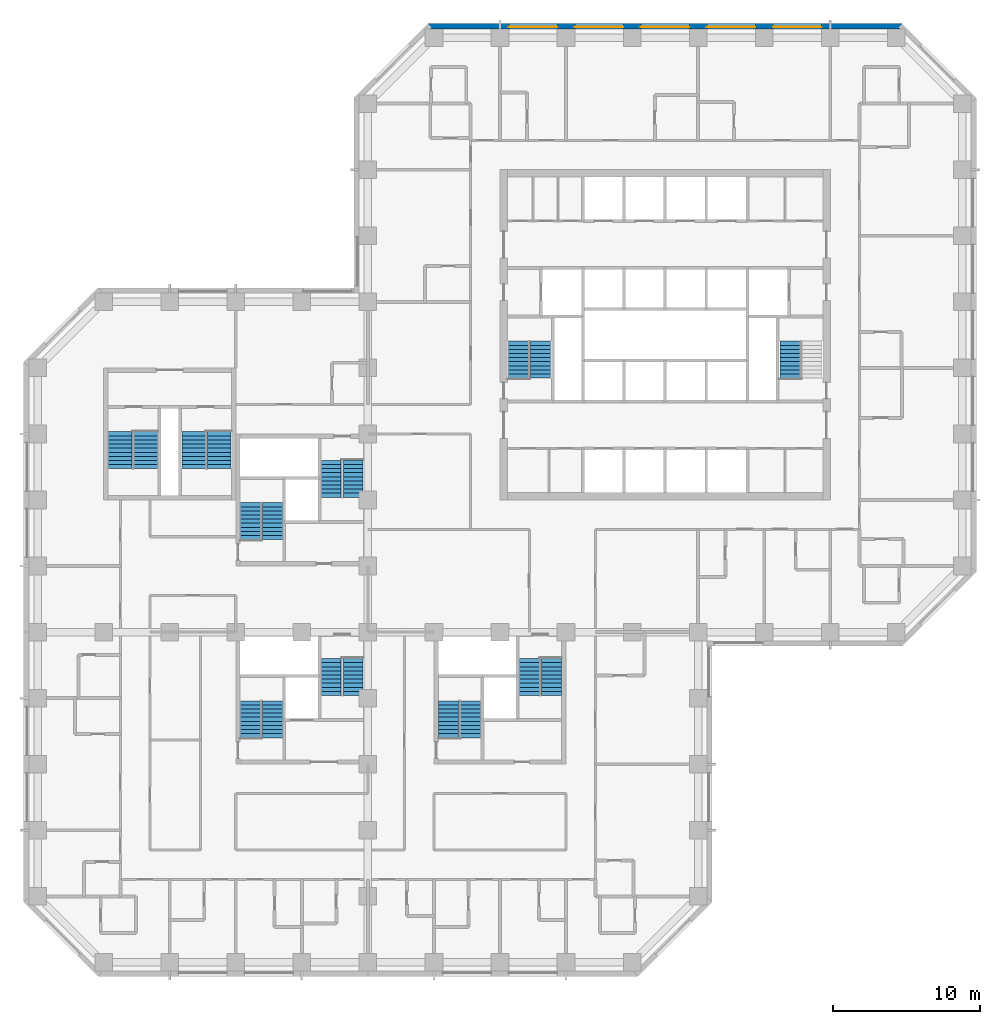
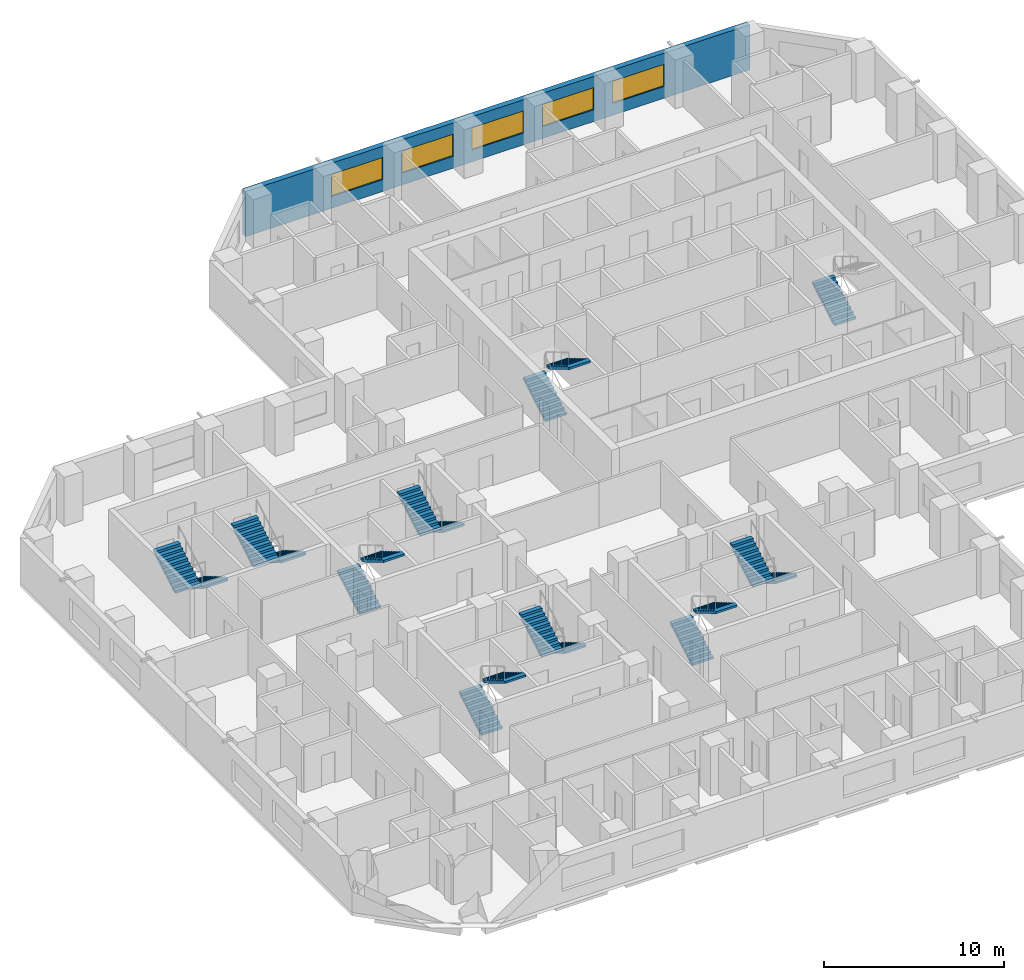
# One storey, part 11 of 13: 19 stair flights, 5 windows, 1 wall, 5 openings, 10 elements without a shape of their own.
"""IFC4 building model written with IfcOpenShell, lengths in metres."""

from ifc_helpers import new_model, si_unit, direction, frame, frame_2d, origin, place, context, subcontext, project, spatial, polyline, rectangle, outline, extrude, material, layer, layer_set, constituent, constituent_set, type_object, element, fill, aggregate, save


model = new_model("IFC4")

# Units and contexts
model_context = context("Model", 3, precision=1e-05, world=origin(), true_north=direction((0.0, 1.0)))
body_context = subcontext(model_context, "Body", "Model", "MODEL_VIEW")
ifc_project = project(units=[si_unit("LENGTHUNIT", "METRE"), si_unit("AREAUNIT", "SQUARE_METRE"), si_unit("VOLUMEUNIT", "CUBIC_METRE"), si_unit("PLANEANGLEUNIT", "RADIAN"), si_unit("MASSUNIT", "GRAM", prefix="KILO")], contexts=[model_context])

# Site, building, storey
site_placement = place(None, origin())
site = spatial("IfcSite", under=ifc_project, at=site_placement, CompositionType="ELEMENT")
building_placement = place(site_placement, origin())
building = spatial("IfcBuilding", under=site, at=building_placement, Name="Quoin Convention Tower", CompositionType="ELEMENT")
storey_placement = place(building_placement, frame((0.0, 0.0, 49.5)))
storey = spatial("IfcBuildingStorey", under=building, at=storey_placement, Name="L12", CompositionType="ELEMENT", Elevation=49.5)

# Wall, openings, windows
ifc_material_1 = material(Name="Brick masonry", Category="masonry")
ifc_layer = layer(ifc_material_1, 0.35009765625)
ifc_layer_set = layer_set([ifc_layer], Name="Brick masonry")
wall_type = type_object("IfcWallType", Name="Brick facade wall", PredefinedType="STANDARD", material=ifc_layer_set)
wall_placement = place(storey_placement, frame((72.3935546875, 81.77490234375, 0.0), z_axis=(0.0, 0.0, 1.0), x_axis=(-1.0, 0.0, 0.0)))
wall = element("IfcWall", 1, at=wall_placement, inside=storey, type_object=wall_type, Name="fw-L12-72000_81000", PredefinedType="STANDARD", context=body_context, shape_type="SweptSolid", body=[
    extrude(rectangle(XDim=32.287109375, YDim=0.35009765625, at=frame_2d((16.1435546875, 0.0))), origin(), (0.0, 0.0, 1.0), 3.054931640625),
])
opening_1_placement = place(wall_placement, frame((5.493408203125, 0.0, 0.800048828125)))
opening_1 = element("IfcOpeningElement", 2, at=opening_1_placement, cuts=wall, Name="Opening W-01", PredefinedType="OPENING", context=body_context, shape_type="SweptSolid", body=[
    extrude(rectangle(XDim=3.300048828125, YDim=1.5, at=frame_2d((1.64990234375, 0.75))), frame((0.0, 0.18505859375, 0.0), z_axis=(0.0, -1.0, 0.0), x_axis=(1.0, 0.0, 0.0)), (0.0, 0.0, 1.0), 0.3701171875),
])
opening_2_placement = place(wall_placement, frame((9.993408203125, 0.0, 0.800048828125)))
opening_2 = element("IfcOpeningElement", 3, at=opening_2_placement, cuts=wall, Name="Opening W-01", PredefinedType="OPENING", context=body_context, shape_type="SweptSolid", body=[
    extrude(rectangle(XDim=3.300048828125, YDim=1.5, at=frame_2d((1.64990234375, 0.75))), frame((0.0, 0.18505859375, 0.0), z_axis=(0.0, -1.0, 0.0), x_axis=(1.0, 0.0, 0.0)), (0.0, 0.0, 1.0), 0.3701171875),
])
opening_3_placement = place(wall_placement, frame((14.493408203125, 0.0, 0.800048828125)))
opening_3 = element("IfcOpeningElement", 4, at=opening_3_placement, cuts=wall, Name="Opening W-01", PredefinedType="OPENING", context=body_context, shape_type="SweptSolid", body=[
    extrude(rectangle(XDim=3.300048828125, YDim=1.5, at=frame_2d((1.64990234375, 0.75))), frame((0.0, 0.18505859375, 0.0), z_axis=(0.0, -1.0, 0.0), x_axis=(1.0, 0.0, 0.0)), (0.0, 0.0, 1.0), 0.3701171875),
])
opening_4_placement = place(wall_placement, frame((18.993408203125, 0.0, 0.800048828125)))
opening_4 = element("IfcOpeningElement", 5, at=opening_4_placement, cuts=wall, Name="Opening W-01", PredefinedType="OPENING", context=body_context, shape_type="SweptSolid", body=[
    extrude(rectangle(XDim=3.300048828125, YDim=1.5, at=frame_2d((1.64990234375, 0.75))), frame((0.0, 0.18505859375, 0.0), z_axis=(0.0, -1.0, 0.0), x_axis=(1.0, 0.0, 0.0)), (0.0, 0.0, 1.0), 0.3701171875),
])
opening_5_placement = place(wall_placement, frame((23.493408203125, 0.0, 0.800048828125)))
opening_5 = element("IfcOpeningElement", 6, at=opening_5_placement, cuts=wall, Name="Opening W-01", PredefinedType="OPENING", context=body_context, shape_type="SweptSolid", body=[
    extrude(rectangle(XDim=3.300048828125, YDim=1.5, at=frame_2d((1.64990234375, 0.75))), frame((0.0, 0.18505859375, 0.0), z_axis=(0.0, -1.0, 0.0), x_axis=(1.0, 0.0, 0.0)), (0.0, 0.0, 1.0), 0.3701171875),
])
ifc_material_2 = material(Name="Aluminium", Category="aluminium")
ifc_constituent_1 = constituent(ifc_material_2, Name="Frame")
ifc_material_3 = material(Name="Insulated glass", Category="glass")
ifc_constituent_2 = constituent(ifc_material_3, Name="Glazing")
ifc_constituent_set = constituent_set(constituents=[ifc_constituent_1, ifc_constituent_2], Name="Aluminium")
window_type = type_object("IfcWindowType", Name="Hotel strip window", PartitioningType="DOUBLE_PANEL_VERTICAL", PredefinedType="WINDOW", material=ifc_constituent_set)
window_1_placement = place(opening_1_placement, origin())
window_1 = element("IfcWindow", 7, at=window_1_placement, inside=storey, type_object=window_type, Name="win-L12-65250_81775", OverallHeight=1.5, OverallWidth=3.300048828125, PartitioningType="SINGLE_PANEL", PredefinedType="WINDOW", context=body_context, shape_type="SweptSolid", body=[
    extrude(rectangle(XDim=3.300048828125, YDim=1.5, at=frame_2d((1.64990234375, 0.75))), frame((0.0, 0.0849609375, 0.0), z_axis=(0.0, -1.0, 0.0), x_axis=(1.0, 0.0, 0.0)), (0.0, 0.0, 1.0), 0.06005859375),
])
fill(opening_1, window_1)
window_2_placement = place(opening_2_placement, origin())
window_2 = element("IfcWindow", 8, at=window_2_placement, inside=storey, type_object=window_type, Name="win-L12-60750_81775", OverallHeight=1.5, OverallWidth=3.300048828125, PartitioningType="SINGLE_PANEL", PredefinedType="WINDOW", context=body_context, shape_type="SweptSolid", body=[
    extrude(rectangle(XDim=3.300048828125, YDim=1.5, at=frame_2d((1.64990234375, 0.75))), frame((0.0, 0.0849609375, 0.0), z_axis=(0.0, -1.0, 0.0), x_axis=(1.0, 0.0, 0.0)), (0.0, 0.0, 1.0), 0.06005859375),
])
fill(opening_2, window_2)
window_3_placement = place(opening_3_placement, origin())
window_3 = element("IfcWindow", 9, at=window_3_placement, inside=storey, type_object=window_type, Name="win-L12-56250_81775", OverallHeight=1.5, OverallWidth=3.300048828125, PartitioningType="SINGLE_PANEL", PredefinedType="WINDOW", context=body_context, shape_type="SweptSolid", body=[
    extrude(rectangle(XDim=3.300048828125, YDim=1.5, at=frame_2d((1.64990234375, 0.75))), frame((0.0, 0.0849609375, 0.0), z_axis=(0.0, -1.0, 0.0), x_axis=(1.0, 0.0, 0.0)), (0.0, 0.0, 1.0), 0.06005859375),
])
fill(opening_3, window_3)
window_4_placement = place(opening_4_placement, origin())
window_4 = element("IfcWindow", 10, at=window_4_placement, inside=storey, type_object=window_type, Name="win-L12-51750_81775", OverallHeight=1.5, OverallWidth=3.300048828125, PartitioningType="SINGLE_PANEL", PredefinedType="WINDOW", context=body_context, shape_type="SweptSolid", body=[
    extrude(rectangle(XDim=3.300048828125, YDim=1.5, at=frame_2d((1.64990234375, 0.75))), frame((0.0, 0.0849609375, 0.0), z_axis=(0.0, -1.0, 0.0), x_axis=(1.0, 0.0, 0.0)), (0.0, 0.0, 1.0), 0.06005859375),
])
fill(opening_4, window_4)
window_5_placement = place(opening_5_placement, origin())
window_5 = element("IfcWindow", 11, at=window_5_placement, inside=storey, type_object=window_type, Name="win-L12-47250_81775", OverallHeight=1.5, OverallWidth=3.300048828125, PartitioningType="SINGLE_PANEL", PredefinedType="WINDOW", context=body_context, shape_type="SweptSolid", body=[
    extrude(rectangle(XDim=3.300048828125, YDim=1.5, at=frame_2d((1.64990234375, 0.75))), frame((0.0, 0.0849609375, 0.0), z_axis=(0.0, -1.0, 0.0), x_axis=(1.0, 0.0, 0.0)), (0.0, 0.0, 1.0), 0.06005859375),
])
fill(opening_5, window_5)

# Stair, stair flights
ifc_material_4 = material(Name="Concrete C40", Category="concrete")
stair_type_1 = type_object("IfcStairType", Name="Exit stair two-flight 1350", PredefinedType="HALF_TURN_STAIR", material=ifc_material_4)
stair_1_placement = place(storey_placement, origin())
stair_1 = element("IfcStair", 12, at=stair_1_placement, inside=storey, type_object=stair_type_1, Name="SD1 L12", PredefinedType="HALF_TURN_STAIR")
stair_flight_type_1 = type_object("IfcStairFlightType", Name="Stair flight 1350", PredefinedType="STRAIGHT", material=ifc_material_4)
stair_flight_1_placement = place(storey_placement, frame((46.25, 57.800048828125, 0.0), z_axis=(0.0, 0.0, 1.0), x_axis=(0.0, 1.0, 0.0)))
stair_flight_1 = element("IfcStairFlight", 13, at=stair_flight_1_placement, type_object=stair_flight_type_1, Name="ST1 flight 1", NumberOfRisers=10, NumberOfTreads=9, PredefinedType="STRAIGHT", RiserHeight=0.165, TreadLength=0.28, context=body_context, shape_type="SweptSolid", body=[
    extrude(outline(polyline([(0.0, 0.0), (0.0, 0.1650390625), (0.280029296875, 0.1650390625), (0.280029296875, 0.330078125), (0.56005859375, 0.330078125), (0.56005859375, 0.4951171875), (0.840087890625, 0.4951171875), (0.840087890625, 0.659912109375), (1.1201171875, 0.659912109375), (1.1201171875, 0.824951171875), (1.39990234375, 0.824951171875), (1.39990234375, 0.989990234375), (1.679931640625, 0.989990234375), (1.679931640625, 1.155029296875), (1.9599609375, 1.155029296875), (1.9599609375, 1.320068359375), (2.239990234375, 1.320068359375), (2.239990234375, 1.485107421875), (2.52001953125, 1.485107421875), (2.52001953125, 1.64990234375), (2.52001953125, 1.345458984375), (0.236572265625, 0.0), (0.0, 0.0)])), frame((0.0, 0.675048828125, 0.0), z_axis=(0.0, -1.0, 0.0), x_axis=(1.0, 0.0, 0.0)), (0.0, 0.0, 1.0), 1.35009765625),
])
stair_flight_2_placement = place(storey_placement, frame((47.75, 60.320068359375, 1.64990234375), z_axis=(0.0, 0.0, 1.0), x_axis=(0.0, -1.0, 0.0)))
stair_flight_2 = element("IfcStairFlight", 14, at=stair_flight_2_placement, type_object=stair_flight_type_1, Name="ST1 flight 2", NumberOfRisers=10, NumberOfTreads=9, PredefinedType="STRAIGHT", RiserHeight=0.165, TreadLength=0.28, context=body_context, shape_type="SweptSolid", body=[
    extrude(outline(polyline([(0.0, 0.0), (0.0, 0.1650390625), (0.280029296875, 0.1650390625), (0.280029296875, 0.330078125), (0.56005859375, 0.330078125), (0.56005859375, 0.4951171875), (0.840087890625, 0.4951171875), (0.840087890625, 0.659912109375), (1.1201171875, 0.659912109375), (1.1201171875, 0.824951171875), (1.39990234375, 0.824951171875), (1.39990234375, 0.989990234375), (1.679931640625, 0.989990234375), (1.679931640625, 1.155029296875), (1.9599609375, 1.155029296875), (1.9599609375, 1.320068359375), (2.239990234375, 1.320068359375), (2.239990234375, 1.485107421875), (2.52001953125, 1.485107421875), (2.52001953125, 1.64990234375), (2.52001953125, 1.345458984375), (0.236572265625, 0.0), (0.0, 0.0)])), frame((0.0, 0.675048828125, 0.0), z_axis=(0.0, -1.0, 0.0), x_axis=(1.0, 0.0, 0.0)), (0.0, 0.0, 1.0), 1.35009765625),
])
aggregate(stair_1, [stair_flight_1, stair_flight_2])

# Stair, stair flight
stair_2_placement = place(storey_placement, origin())
stair_2 = element("IfcStair", 15, at=stair_2_placement, inside=storey, type_object=stair_type_1, Name="SD2 L12", PredefinedType="HALF_TURN_STAIR")
stair_flight_3_placement = place(storey_placement, frame((64.75, 57.800048828125, 0.0), z_axis=(0.0, 0.0, 1.0), x_axis=(0.0, 1.0, 0.0)))
stair_flight_3 = element("IfcStairFlight", 16, at=stair_flight_3_placement, type_object=stair_flight_type_1, Name="ST2 flight 1", NumberOfRisers=10, NumberOfTreads=9, PredefinedType="STRAIGHT", RiserHeight=0.165, TreadLength=0.28, context=body_context, shape_type="SweptSolid", body=[
    extrude(outline(polyline([(0.0, 0.0), (0.0, 0.1650390625), (0.280029296875, 0.1650390625), (0.280029296875, 0.330078125), (0.56005859375, 0.330078125), (0.56005859375, 0.4951171875), (0.840087890625, 0.4951171875), (0.840087890625, 0.659912109375), (1.1201171875, 0.659912109375), (1.1201171875, 0.824951171875), (1.39990234375, 0.824951171875), (1.39990234375, 0.989990234375), (1.679931640625, 0.989990234375), (1.679931640625, 1.155029296875), (1.9599609375, 1.155029296875), (1.9599609375, 1.320068359375), (2.239990234375, 1.320068359375), (2.239990234375, 1.485107421875), (2.52001953125, 1.485107421875), (2.52001953125, 1.64990234375), (2.52001953125, 1.345458984375), (0.236572265625, 0.0), (0.0, 0.0)])), frame((0.0, 0.675048828125, 0.0), z_axis=(0.0, -1.0, 0.0), x_axis=(1.0, 0.0, 0.0)), (0.0, 0.0, 1.0), 1.35009765625),
])
aggregate(stair_2, [stair_flight_3])

# Stair, stair flights
stair_3_placement = place(storey_placement, origin())
stair_3 = element("IfcStair", 17, at=stair_3_placement, inside=storey, type_object=stair_type_1, Name="SD3 L12", PredefinedType="HALF_TURN_STAIR")
stair_flight_4_placement = place(storey_placement, frame((28.0, 46.800048828125, 0.0), z_axis=(0.0, 0.0, 1.0), x_axis=(0.0, 1.0, 0.0)))
stair_flight_4 = element("IfcStairFlight", 18, at=stair_flight_4_placement, type_object=stair_flight_type_1, Name="ST3 flight 1", NumberOfRisers=10, NumberOfTreads=9, PredefinedType="STRAIGHT", RiserHeight=0.165, TreadLength=0.28, context=body_context, shape_type="SweptSolid", body=[
    extrude(outline(polyline([(0.0, 0.0), (0.0, 0.1650390625), (0.280029296875, 0.1650390625), (0.280029296875, 0.330078125), (0.56005859375, 0.330078125), (0.56005859375, 0.4951171875), (0.840087890625, 0.4951171875), (0.840087890625, 0.659912109375), (1.1201171875, 0.659912109375), (1.1201171875, 0.824951171875), (1.39990234375, 0.824951171875), (1.39990234375, 0.989990234375), (1.679931640625, 0.989990234375), (1.679931640625, 1.155029296875), (1.9599609375, 1.155029296875), (1.9599609375, 1.320068359375), (2.239990234375, 1.320068359375), (2.239990234375, 1.485107421875), (2.52001953125, 1.485107421875), (2.52001953125, 1.64990234375), (2.52001953125, 1.345458984375), (0.236572265625, 0.0), (0.0, 0.0)])), frame((0.0, 0.675048828125, 0.0), z_axis=(0.0, -1.0, 0.0), x_axis=(1.0, 0.0, 0.0)), (0.0, 0.0, 1.0), 1.35009765625),
])
stair_flight_5_placement = place(storey_placement, frame((29.5, 49.320068359375, 1.64990234375), z_axis=(0.0, 0.0, 1.0), x_axis=(0.0, -1.0, 0.0)))
stair_flight_5 = element("IfcStairFlight", 19, at=stair_flight_5_placement, type_object=stair_flight_type_1, Name="ST3 flight 2", NumberOfRisers=10, NumberOfTreads=9, PredefinedType="STRAIGHT", RiserHeight=0.165, TreadLength=0.28, context=body_context, shape_type="SweptSolid", body=[
    extrude(outline(polyline([(0.0, 0.0), (0.0, 0.1650390625), (0.280029296875, 0.1650390625), (0.280029296875, 0.330078125), (0.56005859375, 0.330078125), (0.56005859375, 0.4951171875), (0.840087890625, 0.4951171875), (0.840087890625, 0.659912109375), (1.1201171875, 0.659912109375), (1.1201171875, 0.824951171875), (1.39990234375, 0.824951171875), (1.39990234375, 0.989990234375), (1.679931640625, 0.989990234375), (1.679931640625, 1.155029296875), (1.9599609375, 1.155029296875), (1.9599609375, 1.320068359375), (2.239990234375, 1.320068359375), (2.239990234375, 1.485107421875), (2.52001953125, 1.485107421875), (2.52001953125, 1.64990234375), (2.52001953125, 1.345458984375), (0.236572265625, 0.0), (0.0, 0.0)])), frame((0.0, 0.675048828125, 0.0), z_axis=(0.0, -1.0, 0.0), x_axis=(1.0, 0.0, 0.0)), (0.0, 0.0, 1.0), 1.35009765625),
])
aggregate(stair_3, [stair_flight_4, stair_flight_5])

stair_4_placement = place(storey_placement, origin())
stair_4 = element("IfcStair", 20, at=stair_4_placement, inside=storey, type_object=stair_type_1, Name="SD4 L12", PredefinedType="HALF_TURN_STAIR")
stair_flight_6_placement = place(storey_placement, frame((35.0, 52.199951171875, 0.0), z_axis=(0.0, 0.0, 1.0), x_axis=(0.0, -1.0, 0.0)))
stair_flight_6 = element("IfcStairFlight", 21, at=stair_flight_6_placement, type_object=stair_flight_type_1, Name="ST4 flight 1", NumberOfRisers=10, NumberOfTreads=9, PredefinedType="STRAIGHT", RiserHeight=0.165, TreadLength=0.28, context=body_context, shape_type="SweptSolid", body=[
    extrude(outline(polyline([(0.0, 0.0), (0.0, 0.1650390625), (0.280029296875, 0.1650390625), (0.280029296875, 0.330078125), (0.56005859375, 0.330078125), (0.56005859375, 0.4951171875), (0.840087890625, 0.4951171875), (0.840087890625, 0.659912109375), (1.1201171875, 0.659912109375), (1.1201171875, 0.824951171875), (1.39990234375, 0.824951171875), (1.39990234375, 0.989990234375), (1.679931640625, 0.989990234375), (1.679931640625, 1.155029296875), (1.9599609375, 1.155029296875), (1.9599609375, 1.320068359375), (2.239990234375, 1.320068359375), (2.239990234375, 1.485107421875), (2.52001953125, 1.485107421875), (2.52001953125, 1.64990234375), (2.52001953125, 1.345458984375), (0.236572265625, 0.0), (0.0, 0.0)])), frame((0.0, 0.675048828125, 0.0), z_axis=(0.0, -1.0, 0.0), x_axis=(1.0, 0.0, 0.0)), (0.0, 0.0, 1.0), 1.35009765625),
])
stair_flight_7_placement = place(storey_placement, frame((33.5, 49.679931640625, 1.64990234375), z_axis=(0.0, 0.0, 1.0), x_axis=(0.0, 1.0, 0.0)))
stair_flight_7 = element("IfcStairFlight", 22, at=stair_flight_7_placement, type_object=stair_flight_type_1, Name="ST4 flight 2", NumberOfRisers=10, NumberOfTreads=9, PredefinedType="STRAIGHT", RiserHeight=0.165, TreadLength=0.28, context=body_context, shape_type="SweptSolid", body=[
    extrude(outline(polyline([(0.0, 0.0), (0.0, 0.1650390625), (0.280029296875, 0.1650390625), (0.280029296875, 0.330078125), (0.56005859375, 0.330078125), (0.56005859375, 0.4951171875), (0.840087890625, 0.4951171875), (0.840087890625, 0.659912109375), (1.1201171875, 0.659912109375), (1.1201171875, 0.824951171875), (1.39990234375, 0.824951171875), (1.39990234375, 0.989990234375), (1.679931640625, 0.989990234375), (1.679931640625, 1.155029296875), (1.9599609375, 1.155029296875), (1.9599609375, 1.320068359375), (2.239990234375, 1.320068359375), (2.239990234375, 1.485107421875), (2.52001953125, 1.485107421875), (2.52001953125, 1.64990234375), (2.52001953125, 1.345458984375), (0.236572265625, 0.0), (0.0, 0.0)])), frame((0.0, 0.675048828125, 0.0), z_axis=(0.0, -1.0, 0.0), x_axis=(1.0, 0.0, 0.0)), (0.0, 0.0, 1.0), 1.35009765625),
])
aggregate(stair_4, [stair_flight_6, stair_flight_7])

stair_5_placement = place(storey_placement, origin())
stair_5 = element("IfcStair", 23, at=stair_5_placement, inside=storey, type_object=stair_type_1, Name="SD5 L12", PredefinedType="HALF_TURN_STAIR")
stair_flight_8_placement = place(storey_placement, frame((41.5, 33.300048828125, 0.0), z_axis=(0.0, 0.0, 1.0), x_axis=(0.0, 1.0, 0.0)))
stair_flight_8 = element("IfcStairFlight", 24, at=stair_flight_8_placement, type_object=stair_flight_type_1, Name="ST5 flight 1", NumberOfRisers=10, NumberOfTreads=9, PredefinedType="STRAIGHT", RiserHeight=0.165, TreadLength=0.28, context=body_context, shape_type="SweptSolid", body=[
    extrude(outline(polyline([(0.0, 0.0), (0.0, 0.1650390625), (0.280029296875, 0.1650390625), (0.280029296875, 0.330078125), (0.56005859375, 0.330078125), (0.56005859375, 0.4951171875), (0.840087890625, 0.4951171875), (0.840087890625, 0.659912109375), (1.1201171875, 0.659912109375), (1.1201171875, 0.824951171875), (1.39990234375, 0.824951171875), (1.39990234375, 0.989990234375), (1.679931640625, 0.989990234375), (1.679931640625, 1.155029296875), (1.9599609375, 1.155029296875), (1.9599609375, 1.320068359375), (2.239990234375, 1.320068359375), (2.239990234375, 1.485107421875), (2.52001953125, 1.485107421875), (2.52001953125, 1.64990234375), (2.52001953125, 1.345458984375), (0.236572265625, 0.0), (0.0, 0.0)])), frame((0.0, 0.675048828125, 0.0), z_axis=(0.0, -1.0, 0.0), x_axis=(1.0, 0.0, 0.0)), (0.0, 0.0, 1.0), 1.35009765625),
])
stair_flight_9_placement = place(storey_placement, frame((43.0, 35.820068359375, 1.64990234375), z_axis=(0.0, 0.0, 1.0), x_axis=(0.0, -1.0, 0.0)))
stair_flight_9 = element("IfcStairFlight", 25, at=stair_flight_9_placement, type_object=stair_flight_type_1, Name="ST5 flight 2", NumberOfRisers=10, NumberOfTreads=9, PredefinedType="STRAIGHT", RiserHeight=0.165, TreadLength=0.28, context=body_context, shape_type="SweptSolid", body=[
    extrude(outline(polyline([(0.0, 0.0), (0.0, 0.1650390625), (0.280029296875, 0.1650390625), (0.280029296875, 0.330078125), (0.56005859375, 0.330078125), (0.56005859375, 0.4951171875), (0.840087890625, 0.4951171875), (0.840087890625, 0.659912109375), (1.1201171875, 0.659912109375), (1.1201171875, 0.824951171875), (1.39990234375, 0.824951171875), (1.39990234375, 0.989990234375), (1.679931640625, 0.989990234375), (1.679931640625, 1.155029296875), (1.9599609375, 1.155029296875), (1.9599609375, 1.320068359375), (2.239990234375, 1.320068359375), (2.239990234375, 1.485107421875), (2.52001953125, 1.485107421875), (2.52001953125, 1.64990234375), (2.52001953125, 1.345458984375), (0.236572265625, 0.0), (0.0, 0.0)])), frame((0.0, 0.675048828125, 0.0), z_axis=(0.0, -1.0, 0.0), x_axis=(1.0, 0.0, 0.0)), (0.0, 0.0, 1.0), 1.35009765625),
])
aggregate(stair_5, [stair_flight_8, stair_flight_9])

stair_6_placement = place(storey_placement, origin())
stair_6 = element("IfcStair", 26, at=stair_6_placement, inside=storey, type_object=stair_type_1, Name="SD6 L12", PredefinedType="HALF_TURN_STAIR")
stair_flight_10_placement = place(storey_placement, frame((48.5, 38.699951171875, 0.0), z_axis=(0.0, 0.0, 1.0), x_axis=(0.0, -1.0, 0.0)))
stair_flight_10 = element("IfcStairFlight", 27, at=stair_flight_10_placement, type_object=stair_flight_type_1, Name="ST6 flight 1", NumberOfRisers=10, NumberOfTreads=9, PredefinedType="STRAIGHT", RiserHeight=0.165, TreadLength=0.28, context=body_context, shape_type="SweptSolid", body=[
    extrude(outline(polyline([(0.0, 0.0), (0.0, 0.1650390625), (0.280029296875, 0.1650390625), (0.280029296875, 0.330078125), (0.56005859375, 0.330078125), (0.56005859375, 0.4951171875), (0.840087890625, 0.4951171875), (0.840087890625, 0.659912109375), (1.1201171875, 0.659912109375), (1.1201171875, 0.824951171875), (1.39990234375, 0.824951171875), (1.39990234375, 0.989990234375), (1.679931640625, 0.989990234375), (1.679931640625, 1.155029296875), (1.9599609375, 1.155029296875), (1.9599609375, 1.320068359375), (2.239990234375, 1.320068359375), (2.239990234375, 1.485107421875), (2.52001953125, 1.485107421875), (2.52001953125, 1.64990234375), (2.52001953125, 1.345458984375), (0.236572265625, 0.0), (0.0, 0.0)])), frame((0.0, 0.675048828125, 0.0), z_axis=(0.0, -1.0, 0.0), x_axis=(1.0, 0.0, 0.0)), (0.0, 0.0, 1.0), 1.35009765625),
])
stair_flight_11_placement = place(storey_placement, frame((47.0, 36.179931640625, 1.64990234375), z_axis=(0.0, 0.0, 1.0), x_axis=(0.0, 1.0, 0.0)))
stair_flight_11 = element("IfcStairFlight", 28, at=stair_flight_11_placement, type_object=stair_flight_type_1, Name="ST6 flight 2", NumberOfRisers=10, NumberOfTreads=9, PredefinedType="STRAIGHT", RiserHeight=0.165, TreadLength=0.28, context=body_context, shape_type="SweptSolid", body=[
    extrude(outline(polyline([(0.0, 0.0), (0.0, 0.1650390625), (0.280029296875, 0.1650390625), (0.280029296875, 0.330078125), (0.56005859375, 0.330078125), (0.56005859375, 0.4951171875), (0.840087890625, 0.4951171875), (0.840087890625, 0.659912109375), (1.1201171875, 0.659912109375), (1.1201171875, 0.824951171875), (1.39990234375, 0.824951171875), (1.39990234375, 0.989990234375), (1.679931640625, 0.989990234375), (1.679931640625, 1.155029296875), (1.9599609375, 1.155029296875), (1.9599609375, 1.320068359375), (2.239990234375, 1.320068359375), (2.239990234375, 1.485107421875), (2.52001953125, 1.485107421875), (2.52001953125, 1.64990234375), (2.52001953125, 1.345458984375), (0.236572265625, 0.0), (0.0, 0.0)])), frame((0.0, 0.675048828125, 0.0), z_axis=(0.0, -1.0, 0.0), x_axis=(1.0, 0.0, 0.0)), (0.0, 0.0, 1.0), 1.35009765625),
])
aggregate(stair_6, [stair_flight_10, stair_flight_11])

stair_7_placement = place(storey_placement, origin())
stair_7 = element("IfcStair", 29, at=stair_7_placement, inside=storey, type_object=stair_type_1, Name="SD7 L12", PredefinedType="HALF_TURN_STAIR")
stair_flight_12_placement = place(storey_placement, frame((28.0, 33.300048828125, 0.0), z_axis=(0.0, 0.0, 1.0), x_axis=(0.0, 1.0, 0.0)))
stair_flight_12 = element("IfcStairFlight", 30, at=stair_flight_12_placement, type_object=stair_flight_type_1, Name="ST7 flight 1", NumberOfRisers=10, NumberOfTreads=9, PredefinedType="STRAIGHT", RiserHeight=0.165, TreadLength=0.28, context=body_context, shape_type="SweptSolid", body=[
    extrude(outline(polyline([(0.0, 0.0), (0.0, 0.1650390625), (0.280029296875, 0.1650390625), (0.280029296875, 0.330078125), (0.56005859375, 0.330078125), (0.56005859375, 0.4951171875), (0.840087890625, 0.4951171875), (0.840087890625, 0.659912109375), (1.1201171875, 0.659912109375), (1.1201171875, 0.824951171875), (1.39990234375, 0.824951171875), (1.39990234375, 0.989990234375), (1.679931640625, 0.989990234375), (1.679931640625, 1.155029296875), (1.9599609375, 1.155029296875), (1.9599609375, 1.320068359375), (2.239990234375, 1.320068359375), (2.239990234375, 1.485107421875), (2.52001953125, 1.485107421875), (2.52001953125, 1.64990234375), (2.52001953125, 1.345458984375), (0.236572265625, 0.0), (0.0, 0.0)])), frame((0.0, 0.675048828125, 0.0), z_axis=(0.0, -1.0, 0.0), x_axis=(1.0, 0.0, 0.0)), (0.0, 0.0, 1.0), 1.35009765625),
])
stair_flight_13_placement = place(storey_placement, frame((29.5, 35.820068359375, 1.64990234375), z_axis=(0.0, 0.0, 1.0), x_axis=(0.0, -1.0, 0.0)))
stair_flight_13 = element("IfcStairFlight", 31, at=stair_flight_13_placement, type_object=stair_flight_type_1, Name="ST7 flight 2", NumberOfRisers=10, NumberOfTreads=9, PredefinedType="STRAIGHT", RiserHeight=0.165, TreadLength=0.28, context=body_context, shape_type="SweptSolid", body=[
    extrude(outline(polyline([(0.0, 0.0), (0.0, 0.1650390625), (0.280029296875, 0.1650390625), (0.280029296875, 0.330078125), (0.56005859375, 0.330078125), (0.56005859375, 0.4951171875), (0.840087890625, 0.4951171875), (0.840087890625, 0.659912109375), (1.1201171875, 0.659912109375), (1.1201171875, 0.824951171875), (1.39990234375, 0.824951171875), (1.39990234375, 0.989990234375), (1.679931640625, 0.989990234375), (1.679931640625, 1.155029296875), (1.9599609375, 1.155029296875), (1.9599609375, 1.320068359375), (2.239990234375, 1.320068359375), (2.239990234375, 1.485107421875), (2.52001953125, 1.485107421875), (2.52001953125, 1.64990234375), (2.52001953125, 1.345458984375), (0.236572265625, 0.0), (0.0, 0.0)])), frame((0.0, 0.675048828125, 0.0), z_axis=(0.0, -1.0, 0.0), x_axis=(1.0, 0.0, 0.0)), (0.0, 0.0, 1.0), 1.35009765625),
])
aggregate(stair_7, [stair_flight_12, stair_flight_13])

stair_8_placement = place(storey_placement, origin())
stair_8 = element("IfcStair", 32, at=stair_8_placement, inside=storey, type_object=stair_type_1, Name="SD8 L12", PredefinedType="HALF_TURN_STAIR")
stair_flight_14_placement = place(storey_placement, frame((35.0, 38.699951171875, 0.0), z_axis=(0.0, 0.0, 1.0), x_axis=(0.0, -1.0, 0.0)))
stair_flight_14 = element("IfcStairFlight", 33, at=stair_flight_14_placement, type_object=stair_flight_type_1, Name="ST8 flight 1", NumberOfRisers=10, NumberOfTreads=9, PredefinedType="STRAIGHT", RiserHeight=0.165, TreadLength=0.28, context=body_context, shape_type="SweptSolid", body=[
    extrude(outline(polyline([(0.0, 0.0), (0.0, 0.1650390625), (0.280029296875, 0.1650390625), (0.280029296875, 0.330078125), (0.56005859375, 0.330078125), (0.56005859375, 0.4951171875), (0.840087890625, 0.4951171875), (0.840087890625, 0.659912109375), (1.1201171875, 0.659912109375), (1.1201171875, 0.824951171875), (1.39990234375, 0.824951171875), (1.39990234375, 0.989990234375), (1.679931640625, 0.989990234375), (1.679931640625, 1.155029296875), (1.9599609375, 1.155029296875), (1.9599609375, 1.320068359375), (2.239990234375, 1.320068359375), (2.239990234375, 1.485107421875), (2.52001953125, 1.485107421875), (2.52001953125, 1.64990234375), (2.52001953125, 1.345458984375), (0.236572265625, 0.0), (0.0, 0.0)])), frame((0.0, 0.675048828125, 0.0), z_axis=(0.0, -1.0, 0.0), x_axis=(1.0, 0.0, 0.0)), (0.0, 0.0, 1.0), 1.35009765625),
])
stair_flight_15_placement = place(storey_placement, frame((33.5, 36.179931640625, 1.64990234375), z_axis=(0.0, 0.0, 1.0), x_axis=(0.0, 1.0, 0.0)))
stair_flight_15 = element("IfcStairFlight", 34, at=stair_flight_15_placement, type_object=stair_flight_type_1, Name="ST8 flight 2", NumberOfRisers=10, NumberOfTreads=9, PredefinedType="STRAIGHT", RiserHeight=0.165, TreadLength=0.28, context=body_context, shape_type="SweptSolid", body=[
    extrude(outline(polyline([(0.0, 0.0), (0.0, 0.1650390625), (0.280029296875, 0.1650390625), (0.280029296875, 0.330078125), (0.56005859375, 0.330078125), (0.56005859375, 0.4951171875), (0.840087890625, 0.4951171875), (0.840087890625, 0.659912109375), (1.1201171875, 0.659912109375), (1.1201171875, 0.824951171875), (1.39990234375, 0.824951171875), (1.39990234375, 0.989990234375), (1.679931640625, 0.989990234375), (1.679931640625, 1.155029296875), (1.9599609375, 1.155029296875), (1.9599609375, 1.320068359375), (2.239990234375, 1.320068359375), (2.239990234375, 1.485107421875), (2.52001953125, 1.485107421875), (2.52001953125, 1.64990234375), (2.52001953125, 1.345458984375), (0.236572265625, 0.0), (0.0, 0.0)])), frame((0.0, 0.675048828125, 0.0), z_axis=(0.0, -1.0, 0.0), x_axis=(1.0, 0.0, 0.0)), (0.0, 0.0, 1.0), 1.35009765625),
])
aggregate(stair_8, [stair_flight_14, stair_flight_15])

stair_type_2 = type_object("IfcStairType", Name="Exit stair two-flight 1600", PredefinedType="HALF_TURN_STAIR", material=ifc_material_4)
stair_9_placement = place(storey_placement, origin())
stair_9 = element("IfcStair", 35, at=stair_9_placement, inside=storey, type_object=stair_type_2, Name="SD11 L12", PredefinedType="HALF_TURN_STAIR")
stair_flight_type_2 = type_object("IfcStairFlightType", Name="Stair flight 1600", PredefinedType="STRAIGHT", material=ifc_material_4)
stair_flight_16_placement = place(storey_placement, frame((20.875, 54.14990234375, 0.0), z_axis=(0.0, 0.0, 1.0), x_axis=(0.0, -1.0, 0.0)))
stair_flight_16 = element("IfcStairFlight", 36, at=stair_flight_16_placement, type_object=stair_flight_type_2, Name="ST11 flight 1", NumberOfRisers=10, NumberOfTreads=9, PredefinedType="STRAIGHT", RiserHeight=0.165, TreadLength=0.28, context=body_context, shape_type="SweptSolid", body=[
    extrude(outline(polyline([(0.0, 0.0), (0.0, 0.1650390625), (0.280029296875, 0.1650390625), (0.280029296875, 0.330078125), (0.56005859375, 0.330078125), (0.56005859375, 0.4951171875), (0.840087890625, 0.4951171875), (0.840087890625, 0.659912109375), (1.1201171875, 0.659912109375), (1.1201171875, 0.824951171875), (1.39990234375, 0.824951171875), (1.39990234375, 0.989990234375), (1.679931640625, 0.989990234375), (1.679931640625, 1.155029296875), (1.9599609375, 1.155029296875), (1.9599609375, 1.320068359375), (2.239990234375, 1.320068359375), (2.239990234375, 1.485107421875), (2.52001953125, 1.485107421875), (2.52001953125, 1.64990234375), (2.52001953125, 1.345458984375), (0.236572265625, 0.0), (0.0, 0.0)])), frame((0.0, 0.800048828125, 0.0), z_axis=(0.0, -1.0, 0.0), x_axis=(1.0, 0.0, 0.0)), (0.0, 0.0, 1.0), 1.60009765625),
])
stair_flight_17_placement = place(storey_placement, frame((19.125, 51.6298828125, 1.64990234375), z_axis=(0.0, 0.0, 1.0), x_axis=(0.0, 1.0, 0.0)))
stair_flight_17 = element("IfcStairFlight", 37, at=stair_flight_17_placement, type_object=stair_flight_type_2, Name="ST11 flight 2", NumberOfRisers=10, NumberOfTreads=9, PredefinedType="STRAIGHT", RiserHeight=0.165, TreadLength=0.28, context=body_context, shape_type="SweptSolid", body=[
    extrude(outline(polyline([(0.0, 0.0), (0.0, 0.1650390625), (0.280029296875, 0.1650390625), (0.280029296875, 0.330078125), (0.56005859375, 0.330078125), (0.56005859375, 0.4951171875), (0.840087890625, 0.4951171875), (0.840087890625, 0.659912109375), (1.1201171875, 0.659912109375), (1.1201171875, 0.824951171875), (1.39990234375, 0.824951171875), (1.39990234375, 0.989990234375), (1.679931640625, 0.989990234375), (1.679931640625, 1.155029296875), (1.9599609375, 1.155029296875), (1.9599609375, 1.320068359375), (2.239990234375, 1.320068359375), (2.239990234375, 1.485107421875), (2.52001953125, 1.485107421875), (2.52001953125, 1.64990234375), (2.52001953125, 1.345458984375), (0.236572265625, 0.0), (0.0, 0.0)])), frame((0.0, 0.800048828125, 0.0), z_axis=(0.0, -1.0, 0.0), x_axis=(1.0, 0.0, 0.0)), (0.0, 0.0, 1.0), 1.60009765625),
])
aggregate(stair_9, [stair_flight_16, stair_flight_17])

stair_10_placement = place(storey_placement, origin())
stair_10 = element("IfcStair", 38, at=stair_10_placement, inside=storey, type_object=stair_type_2, Name="SD12 L12", PredefinedType="HALF_TURN_STAIR")
stair_flight_18_placement = place(storey_placement, frame((25.875, 54.14990234375, 0.0), z_axis=(0.0, 0.0, 1.0), x_axis=(0.0, -1.0, 0.0)))
stair_flight_18 = element("IfcStairFlight", 39, at=stair_flight_18_placement, type_object=stair_flight_type_2, Name="ST12 flight 1", NumberOfRisers=10, NumberOfTreads=9, PredefinedType="STRAIGHT", RiserHeight=0.165, TreadLength=0.28, context=body_context, shape_type="SweptSolid", body=[
    extrude(outline(polyline([(0.0, 0.0), (0.0, 0.1650390625), (0.280029296875, 0.1650390625), (0.280029296875, 0.330078125), (0.56005859375, 0.330078125), (0.56005859375, 0.4951171875), (0.840087890625, 0.4951171875), (0.840087890625, 0.659912109375), (1.1201171875, 0.659912109375), (1.1201171875, 0.824951171875), (1.39990234375, 0.824951171875), (1.39990234375, 0.989990234375), (1.679931640625, 0.989990234375), (1.679931640625, 1.155029296875), (1.9599609375, 1.155029296875), (1.9599609375, 1.320068359375), (2.239990234375, 1.320068359375), (2.239990234375, 1.485107421875), (2.52001953125, 1.485107421875), (2.52001953125, 1.64990234375), (2.52001953125, 1.345458984375), (0.236572265625, 0.0), (0.0, 0.0)])), frame((0.0, 0.800048828125, 0.0), z_axis=(0.0, -1.0, 0.0), x_axis=(1.0, 0.0, 0.0)), (0.0, 0.0, 1.0), 1.60009765625),
])
stair_flight_19_placement = place(storey_placement, frame((24.125, 51.6298828125, 1.64990234375), z_axis=(0.0, 0.0, 1.0), x_axis=(0.0, 1.0, 0.0)))
stair_flight_19 = element("IfcStairFlight", 40, at=stair_flight_19_placement, type_object=stair_flight_type_2, Name="ST12 flight 2", NumberOfRisers=10, NumberOfTreads=9, PredefinedType="STRAIGHT", RiserHeight=0.165, TreadLength=0.28, context=body_context, shape_type="SweptSolid", body=[
    extrude(outline(polyline([(0.0, 0.0), (0.0, 0.1650390625), (0.280029296875, 0.1650390625), (0.280029296875, 0.330078125), (0.56005859375, 0.330078125), (0.56005859375, 0.4951171875), (0.840087890625, 0.4951171875), (0.840087890625, 0.659912109375), (1.1201171875, 0.659912109375), (1.1201171875, 0.824951171875), (1.39990234375, 0.824951171875), (1.39990234375, 0.989990234375), (1.679931640625, 0.989990234375), (1.679931640625, 1.155029296875), (1.9599609375, 1.155029296875), (1.9599609375, 1.320068359375), (2.239990234375, 1.320068359375), (2.239990234375, 1.485107421875), (2.52001953125, 1.485107421875), (2.52001953125, 1.64990234375), (2.52001953125, 1.345458984375), (0.236572265625, 0.0), (0.0, 0.0)])), frame((0.0, 0.800048828125, 0.0), z_axis=(0.0, -1.0, 0.0), x_axis=(1.0, 0.0, 0.0)), (0.0, 0.0, 1.0), 1.60009765625),
])
aggregate(stair_10, [stair_flight_18, stair_flight_19])

save(model, "model.ifc")
